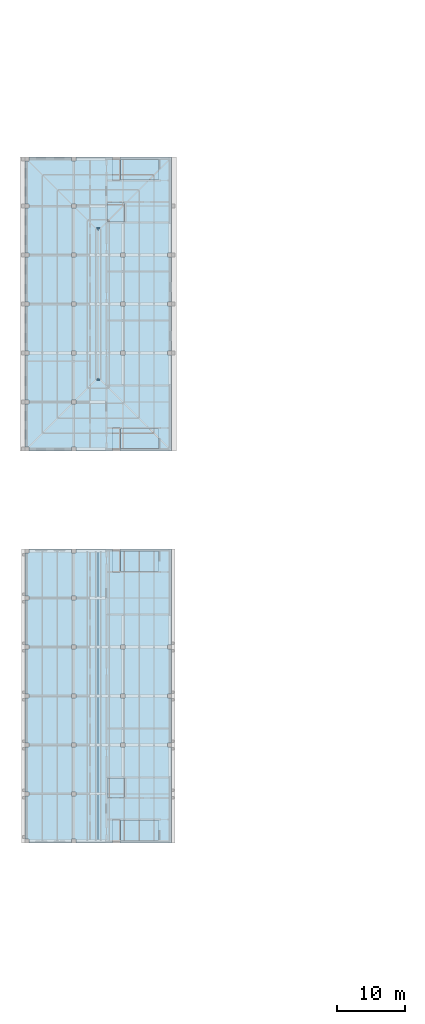
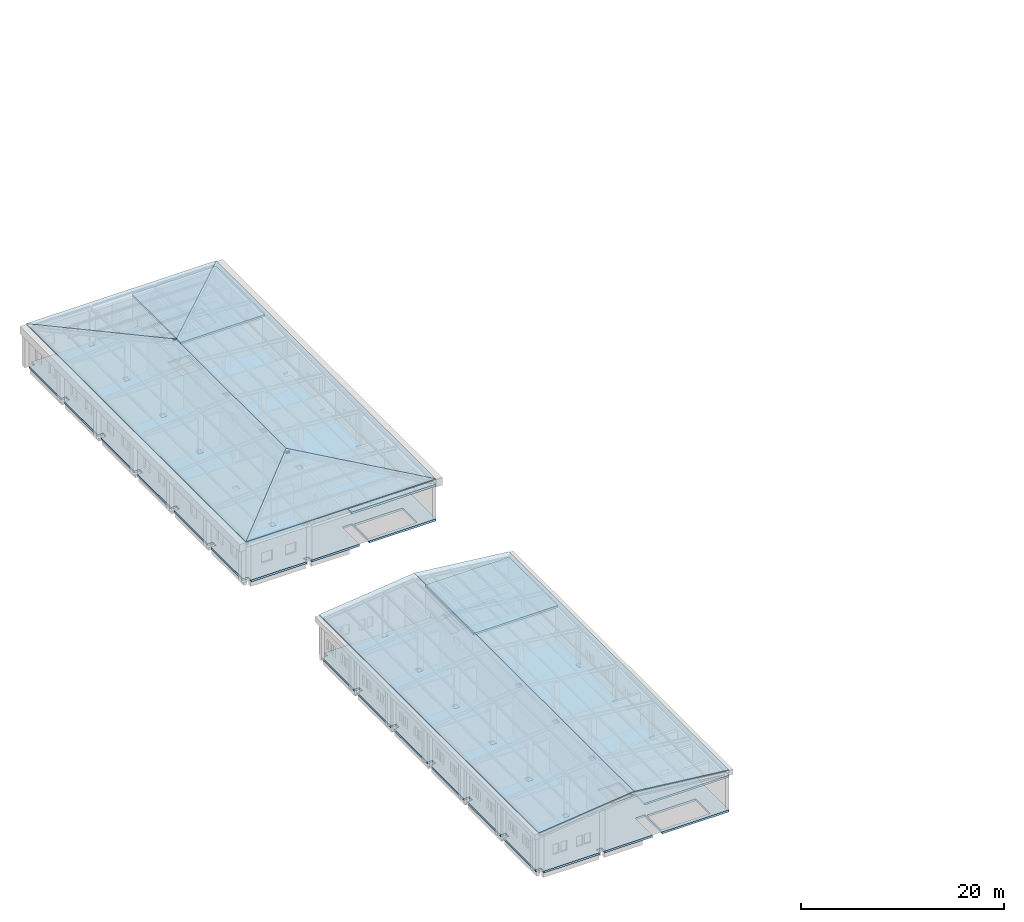
# One storey, part 24 of 48: 12 slabs, 2 members.
"""IFC4 building model written with IfcOpenShell, lengths in metres."""

from ifc_helpers import new_model, si_unit, direction, frame, origin, origin_2d, place, context, subcontext, project, spatial, polyline, i_section, outline, extrude, material, layer, layer_set, material_profile, profile_set, type_object, element, save


model = new_model("IFC4")

# Units and contexts
model_context = context("Model", 3, precision=1e-05, world=origin(), true_north=direction((0.0, 1.0)))
body_context = subcontext(model_context, "Body", "Model", "MODEL_VIEW")
ifc_project = project(units=[si_unit("LENGTHUNIT", "METRE"), si_unit("AREAUNIT", "SQUARE_METRE"), si_unit("VOLUMEUNIT", "CUBIC_METRE"), si_unit("PLANEANGLEUNIT", "RADIAN"), si_unit("MASSUNIT", "GRAM", prefix="KILO")], contexts=[model_context])

# Site, building, storey
site_placement = place(None, origin())
site = spatial("IfcSite", under=ifc_project, at=site_placement, CompositionType="ELEMENT")
building_placement = place(site_placement, origin())
building = spatial("IfcBuilding", under=site, at=building_placement, Name="Alderwick Market Hall", CompositionType="ELEMENT")
storey_placement = place(building_placement, frame((0.0, 0.0, 14.39990234375)))
storey = spatial("IfcBuildingStorey", under=building, at=storey_placement, Name="L02", CompositionType="ELEMENT", Elevation=14.39990234375)

# Members
ifc_material_1 = material(Name="Steel ASTM A992 Grade 50", Category="steel")
ifc_material_profile = material_profile(ifc_material_1, i_section(OverallWidth=0.134033203125, OverallDepth=0.2099609375, WebThickness=0.00634765625, FlangeThickness=0.01025390625, at=origin_2d()), Name="W200x31")
ifc_profile_set = profile_set([ifc_material_profile], Name="Steel ASTM A992 Grade 50")
member_type = type_object("IfcMemberType", Name="B Roof Purlin W200x31", PredefinedType="PURLIN", material=ifc_profile_set)
for number, where, z_axis, x_axis, name in (
    (1, (32.172119140625, 119.14990234375, 5.4453125), (1.0, 0.0, 0.0), (0.0, 1.0, 0.0), "B.N.purlin.e50.00"),
    (2, (32.172119140625, 96.85009765625, 5.4453125), (1.0, 0.0, 0.0), (0.0, 1.0, 0.0), "B.N.purlin.e51.00"),
):
    element("IfcMember", number, at=place(storey_placement, frame(where, z_axis=z_axis, x_axis=x_axis)), inside=storey, type_object=member_type, Name=name, PredefinedType="PURLIN", context=body_context, shape_type="SweptSolid", body=[
        extrude(i_section(OverallWidth=0.134033203125, OverallDepth=0.2099609375, WebThickness=0.00634765625, FlangeThickness=0.01025390625, at=origin_2d()), origin(), (0.0, 0.0, 1.0), 0.455810546875),
    ])

# Slabs
ifc_material_2 = material(Name="Steel ASTM A653 Grade 50 standing seam roof deck", Category="steel")
ifc_layer_1 = layer(ifc_material_2, 0.1201171875)
ifc_layer_set_1 = layer_set([ifc_layer_1], Name="Steel ASTM A653 Grade 50 standing seam roof deck")
slab_type_1 = type_object("IfcSlabType", Name="B Metal Roof Deck 120", PredefinedType="ROOF", material=ifc_layer_set_1)
slab_1_placement = place(storey_placement, frame((21.60009765625, 129.60009765625, 4.800048828125), z_axis=(0.0, 0.083058530203, 0.99654467063), x_axis=(1.0, 0.0, 0.0)))
element("IfcSlab", 3, at=slab_1_placement, inside=storey, type_object=slab_type_1, Name="Metal roof S", PredefinedType="ROOF", context=body_context, shape_type="SweptSolid", body=[
    extrude(outline(polyline([(0.0, 0.0), (21.599853515625, 0.0), (10.7998046875, -10.837495946168417), (0.0, 0.0)])), origin(), (0.0, 0.0, -1.0), 0.1201171875),
])
slab_2_placement = place(storey_placement, frame((43.199951171875, 129.60009765625, 4.800048828125), z_axis=(0.083058530203, 0.0, 0.99654467063), x_axis=(0.0, -1.0, 0.0)))
element("IfcSlab", 4, at=slab_2_placement, inside=storey, type_object=slab_type_1, Name="Metal roof E", PredefinedType="ROOF", context=body_context, shape_type="SweptSolid", body=[
    extrude(outline(polyline([(0.0, 0.0), (43.2001953125, 0.0), (32.400146484375, -10.837495946168417), (10.800048828125, -10.837495946168417), (0.0, 0.0)])), origin(), (0.0, 0.0, -1.0), 0.1201171875),
])
slab_3_placement = place(storey_placement, frame((43.199951171875, 86.39990234375, 4.800048828125), z_axis=(0.0, -0.083058530203, 0.99654467063), x_axis=(-1.0, 0.0, 0.0)))
element("IfcSlab", 5, at=slab_3_placement, inside=storey, type_object=slab_type_1, Name="Metal roof N", PredefinedType="ROOF", context=body_context, shape_type="SweptSolid", body=[
    extrude(outline(polyline([(0.0, 0.0), (21.599853515625, 0.0), (10.800048828125, -10.837495946168417), (0.0, 0.0)])), origin(), (0.0, 0.0, -1.0), 0.1201171875),
])
slab_4_placement = place(storey_placement, frame((21.60009765625, 86.39990234375, 4.800048828125), z_axis=(-0.083060394873, 0.0, 0.996544515214), x_axis=(0.0, 1.0, 0.0)))
element("IfcSlab", 6, at=slab_4_placement, inside=storey, type_object=slab_type_1, Name="Metal roof W", PredefinedType="ROOF", context=body_context, shape_type="SweptSolid", body=[
    extrude(outline(polyline([(0.0, 0.0), (43.2001953125, 0.0), (32.400146484375, -10.837252649148661), (10.800048828125, -10.837252649148661), (0.0, 0.0)])), origin(), (0.0, 0.0, -1.0), 0.1201171875),
])
slab_5_placement = place(storey_placement, frame((21.60009765625, 28.800048828125, 4.800048828125), z_axis=(-0.1104290601, 0.0, 0.993884008668), x_axis=(0.993884008668, 0.0, 0.1104290601)))
element("IfcSlab", 7, at=slab_5_placement, inside=storey, type_object=slab_type_1, Name="Metal roof W", PredefinedType="ROOF", context=body_context, shape_type="SweptSolid", body=[
    extrude(outline(polyline([(0.0, 0.0), (10.86626265571706, 0.0), (10.86626265571706, 43.19995117187501), (0.0, 43.19995117187501), (0.0, 0.0)])), origin(), (0.0, 0.0, -1.0), 0.1201171875),
])
slab_6_placement = place(storey_placement, frame((32.39990234375, 28.800048828125, 6.0), z_axis=(0.110426594235, 0.0, 0.993884282643), x_axis=(0.993884282643, 0.0, -0.110426594235)))
element("IfcSlab", 8, at=slab_6_placement, inside=storey, type_object=slab_type_1, Name="Metal roof E", PredefinedType="ROOF", context=body_context, shape_type="SweptSolid", body=[
    extrude(outline(polyline([(0.0, 0.0), (10.866505303213557, 0.0), (10.866505303213557, 43.19995117187499), (0.0, 43.19995117187499), (0.0, 0.0)])), origin(), (0.0, 0.0, -1.0), 0.1201171875),
])
ifc_material_3 = material(Name="Concrete 4000 psi (f'c 28 MPa)", Category="concrete")
ifc_layer_2 = layer(ifc_material_3, 0.25)
ifc_layer_set_2 = layer_set([ifc_layer_2], Name="Concrete 4000 psi (f'c 28 MPa)")
slab_type_2 = type_object("IfcSlabType", Name="B RC Core Lid 250", PredefinedType="ROOF", material=ifc_layer_set_2)
slab_7_placement = place(storey_placement, frame((0.0, 0.0, 3.900146484375)))
element("IfcSlab", 9, at=slab_7_placement, inside=storey, type_object=slab_type_2, Name="B.N.lid.N-1", PredefinedType="ROOF", context=body_context, shape_type="SweptSolid", body=[
    extrude(outline(polyline([(33.60009765625, 120.0), (43.199951171875, 120.0), (43.199951171875, 129.60009765625), (33.60009765625, 129.60009765625), (33.60009765625, 120.0)])), origin(), (0.0, 0.0, 1.0), 0.25),
])
slab_8_placement = place(storey_placement, frame((0.0, 0.0, 3.900146484375)))
element("IfcSlab", 10, at=slab_8_placement, inside=storey, type_object=slab_type_2, Name="B.N.lid.N-2", PredefinedType="ROOF", context=body_context, shape_type="SweptSolid", body=[
    extrude(outline(polyline([(33.60009765625, 86.39990234375), (43.199951171875, 86.39990234375), (43.199951171875, 96.0), (33.60009765625, 96.0), (33.60009765625, 86.39990234375)])), origin(), (0.0, 0.0, 1.0), 0.25),
])
slab_9_placement = place(storey_placement, frame((0.0, 0.0, 3.900146484375)))
element("IfcSlab", 11, at=slab_9_placement, inside=storey, type_object=slab_type_2, Name="B.S.lid.S-1", PredefinedType="ROOF", context=body_context, shape_type="SweptSolid", body=[
    extrude(outline(polyline([(33.60009765625, 28.800048828125), (43.199951171875, 28.800048828125), (43.199951171875, 38.39990234375), (33.60009765625, 38.39990234375), (33.60009765625, 28.800048828125)])), origin(), (0.0, 0.0, 1.0), 0.25),
])
slab_10_placement = place(storey_placement, frame((0.0, 0.0, 3.900146484375)))
element("IfcSlab", 12, at=slab_10_placement, inside=storey, type_object=slab_type_2, Name="B.S.lid.S-2", PredefinedType="ROOF", context=body_context, shape_type="SweptSolid", body=[
    extrude(outline(polyline([(33.60009765625, 62.39990234375), (43.199951171875, 62.39990234375), (43.199951171875, 72.0), (33.60009765625, 72.0), (33.60009765625, 62.39990234375)])), origin(), (0.0, 0.0, 1.0), 0.25),
])
ifc_layer_3 = layer(ifc_material_3, 0.25)
ifc_layer_set_3 = layer_set([ifc_layer_3], Name="Concrete 4000 psi (f'c 28 MPa)")
slab_type_3 = type_object("IfcSlabType", Name="B RC Floor Slab 250", PredefinedType="FLOOR", material=ifc_layer_set_3)
slab_11_placement = place(storey_placement, frame((0.0, 0.0, -0.25)))
element("IfcSlab", 13, at=slab_11_placement, inside=storey, type_object=slab_type_3, Name="B.N.slab.L02", PredefinedType="FLOOR", context=body_context, shape_type="SweptSolid", body=[
    extrude(outline(polyline([(35.60009765625, 126.199951171875), (35.60009765625, 129.60009765625), (43.199951171875, 129.60009765625), (43.199951171875, 115.5), (42.60009765625, 115.5), (42.60009765625, 114.89990234375), (43.199951171875, 114.89990234375), (43.199951171875, 108.300048828125), (42.60009765625, 108.300048828125), (42.60009765625, 107.699951171875), (43.199951171875, 107.699951171875), (43.199951171875, 101.10009765625), (42.60009765625, 101.10009765625), (42.60009765625, 100.5), (43.199951171875, 100.5), (43.199951171875, 86.39990234375), (35.60009765625, 86.39990234375), (35.60009765625, 89.800048828125), (34.5, 89.800048828125), (34.5, 86.39990234375), (29.10009765625, 86.39990234375), (29.10009765625, 87.0), (28.5, 87.0), (28.5, 86.39990234375), (22.199951171875, 86.39990234375), (22.199951171875, 87.0), (21.60009765625, 87.0), (21.60009765625, 93.300048828125), (22.199951171875, 93.300048828125), (22.199951171875, 93.89990234375), (21.60009765625, 93.89990234375), (21.60009765625, 100.5), (22.199951171875, 100.5), (22.199951171875, 101.10009765625), (21.60009765625, 101.10009765625), (21.60009765625, 107.699951171875), (22.199951171875, 107.699951171875), (22.199951171875, 108.300048828125), (21.60009765625, 108.300048828125), (21.60009765625, 114.89990234375), (22.199951171875, 114.89990234375), (22.199951171875, 115.5), (21.60009765625, 115.5), (21.60009765625, 122.10009765625), (22.199951171875, 122.10009765625), (22.199951171875, 122.699951171875), (21.60009765625, 122.699951171875), (21.60009765625, 129.0), (22.199951171875, 129.0), (22.199951171875, 129.60009765625), (28.5, 129.60009765625), (28.5, 129.0), (29.10009765625, 129.0), (29.10009765625, 129.60009765625), (34.5, 129.60009765625), (34.5, 126.199951171875), (35.60009765625, 126.199951171875)]), holes=[polyline([(29.10009765625, 122.699951171875), (28.5, 122.699951171875), (28.5, 122.10009765625), (29.10009765625, 122.10009765625), (29.10009765625, 122.699951171875)]), polyline([(29.10009765625, 114.89990234375), (29.10009765625, 115.5), (28.5, 115.5), (28.5, 114.89990234375), (29.10009765625, 114.89990234375)]), polyline([(28.5, 107.699951171875), (29.10009765625, 107.699951171875), (29.10009765625, 108.300048828125), (28.5, 108.300048828125), (28.5, 107.699951171875)]), polyline([(28.5, 101.10009765625), (28.5, 100.5), (29.10009765625, 100.5), (29.10009765625, 101.10009765625), (28.5, 101.10009765625)]), polyline([(29.10009765625, 93.89990234375), (28.5, 93.89990234375), (28.5, 93.300048828125), (29.10009765625, 93.300048828125), (29.10009765625, 93.89990234375)]), polyline([(35.699951171875, 114.89990234375), (36.300048828125, 114.89990234375), (36.300048828125, 115.5), (35.699951171875, 115.5), (35.699951171875, 114.89990234375)]), polyline([(35.699951171875, 108.300048828125), (35.699951171875, 107.699951171875), (36.300048828125, 107.699951171875), (36.300048828125, 108.300048828125), (35.699951171875, 108.300048828125)]), polyline([(36.300048828125, 101.10009765625), (35.699951171875, 101.10009765625), (35.699951171875, 100.5), (36.300048828125, 100.5), (36.300048828125, 101.10009765625)]), polyline([(41.2900390625, 129.199951171875), (35.75, 129.199951171875), (35.75, 126.35009765625), (41.2900390625, 126.35009765625), (41.2900390625, 129.199951171875)]), polyline([(36.25, 120.14990234375), (36.25, 122.85009765625), (33.75, 122.85009765625), (33.75, 120.14990234375), (36.25, 120.14990234375)]), polyline([(35.75, 89.64990234375), (35.75, 86.800048828125), (41.2900390625, 86.800048828125), (41.2900390625, 89.64990234375), (35.75, 89.64990234375)])]), origin(), (0.0, 0.0, 1.0), 0.25),
])
slab_12_placement = place(storey_placement, frame((0.0, 0.0, -0.25)))
element("IfcSlab", 14, at=slab_12_placement, inside=storey, type_object=slab_type_3, Name="B.S.slab.L02", PredefinedType="FLOOR", context=body_context, shape_type="SweptSolid", body=[
    extrude(outline(polyline([(22.199951171875, 65.10009765625), (21.60009765625, 65.10009765625), (21.60009765625, 71.39990234375), (22.199951171875, 71.39990234375), (22.199951171875, 72.0), (28.5, 72.0), (28.5, 71.39990234375), (29.10009765625, 71.39990234375), (29.10009765625, 72.0), (34.5, 72.0), (34.5, 68.60009765625), (35.60009765625, 68.60009765625), (35.60009765625, 72.0), (43.199951171875, 72.0), (43.199951171875, 57.89990234375), (42.60009765625, 57.89990234375), (42.60009765625, 57.300048828125), (43.199951171875, 57.300048828125), (43.199951171875, 50.699951171875), (42.60009765625, 50.699951171875), (42.60009765625, 50.10009765625), (43.199951171875, 50.10009765625), (43.199951171875, 43.5), (42.60009765625, 43.5), (42.60009765625, 42.89990234375), (43.199951171875, 42.89990234375), (43.199951171875, 28.800048828125), (35.60009765625, 28.800048828125), (35.60009765625, 32.199951171875), (34.5, 32.199951171875), (34.5, 28.800048828125), (29.10009765625, 28.800048828125), (29.10009765625, 29.39990234375), (28.5, 29.39990234375), (28.5, 28.800048828125), (22.199951171875, 28.800048828125), (22.199951171875, 29.39990234375), (21.60009765625, 29.39990234375), (21.60009765625, 35.699951171875), (22.199951171875, 35.699951171875), (22.199951171875, 36.300048828125), (21.60009765625, 36.300048828125), (21.60009765625, 42.89990234375), (22.199951171875, 42.89990234375), (22.199951171875, 43.5), (21.60009765625, 43.5), (21.60009765625, 50.10009765625), (22.199951171875, 50.10009765625), (22.199951171875, 50.699951171875), (21.60009765625, 50.699951171875), (21.60009765625, 57.300048828125), (22.199951171875, 57.300048828125), (22.199951171875, 57.89990234375), (21.60009765625, 57.89990234375), (21.60009765625, 64.5), (22.199951171875, 64.5), (22.199951171875, 65.10009765625)]), holes=[polyline([(29.10009765625, 36.300048828125), (28.5, 36.300048828125), (28.5, 35.699951171875), (29.10009765625, 35.699951171875), (29.10009765625, 36.300048828125)]), polyline([(29.10009765625, 42.89990234375), (29.10009765625, 43.5), (28.5, 43.5), (28.5, 42.89990234375), (29.10009765625, 42.89990234375)]), polyline([(28.5, 50.10009765625), (29.10009765625, 50.10009765625), (29.10009765625, 50.699951171875), (28.5, 50.699951171875), (28.5, 50.10009765625)]), polyline([(28.5, 57.89990234375), (28.5, 57.300048828125), (29.10009765625, 57.300048828125), (29.10009765625, 57.89990234375), (28.5, 57.89990234375)]), polyline([(29.10009765625, 65.10009765625), (28.5, 65.10009765625), (28.5, 64.5), (29.10009765625, 64.5), (29.10009765625, 65.10009765625)]), polyline([(35.699951171875, 42.89990234375), (36.300048828125, 42.89990234375), (36.300048828125, 43.5), (35.699951171875, 43.5), (35.699951171875, 42.89990234375)]), polyline([(35.699951171875, 50.699951171875), (35.699951171875, 50.10009765625), (36.300048828125, 50.10009765625), (36.300048828125, 50.699951171875), (35.699951171875, 50.699951171875)]), polyline([(36.300048828125, 57.89990234375), (35.699951171875, 57.89990234375), (35.699951171875, 57.300048828125), (36.300048828125, 57.300048828125), (36.300048828125, 57.89990234375)]), polyline([(41.2900390625, 32.050048828125), (35.75, 32.050048828125), (35.75, 29.199951171875), (41.2900390625, 29.199951171875), (41.2900390625, 32.050048828125)]), polyline([(36.25, 35.550048828125), (36.25, 38.25), (33.75, 38.25), (33.75, 35.550048828125), (36.25, 35.550048828125)]), polyline([(35.75, 71.60009765625), (35.75, 68.75), (41.2900390625, 68.75), (41.2900390625, 71.60009765625), (35.75, 71.60009765625)])]), origin(), (0.0, 0.0, 1.0), 0.25),
])

save(model, "model.ifc")
